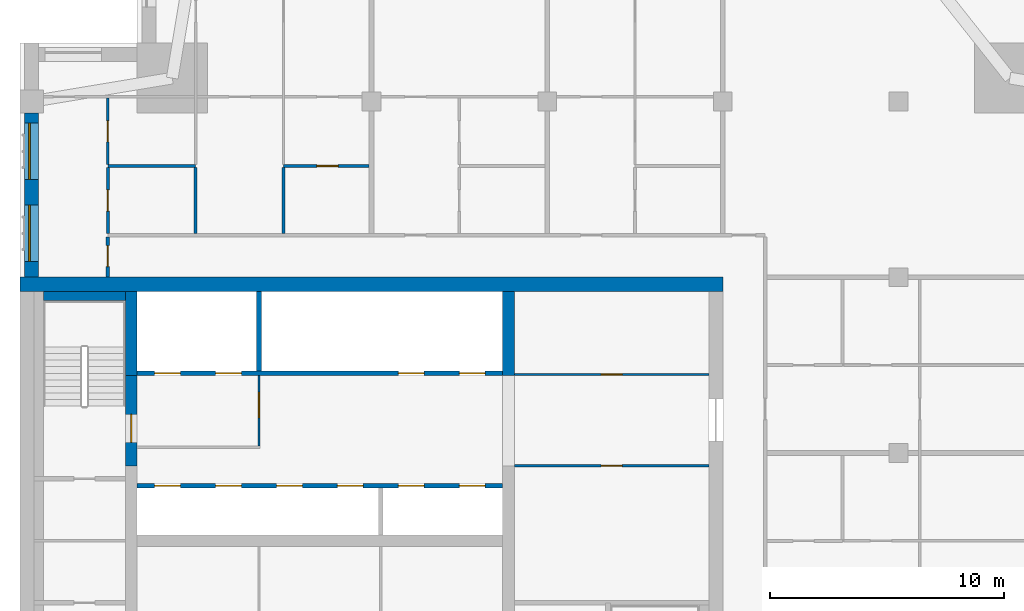
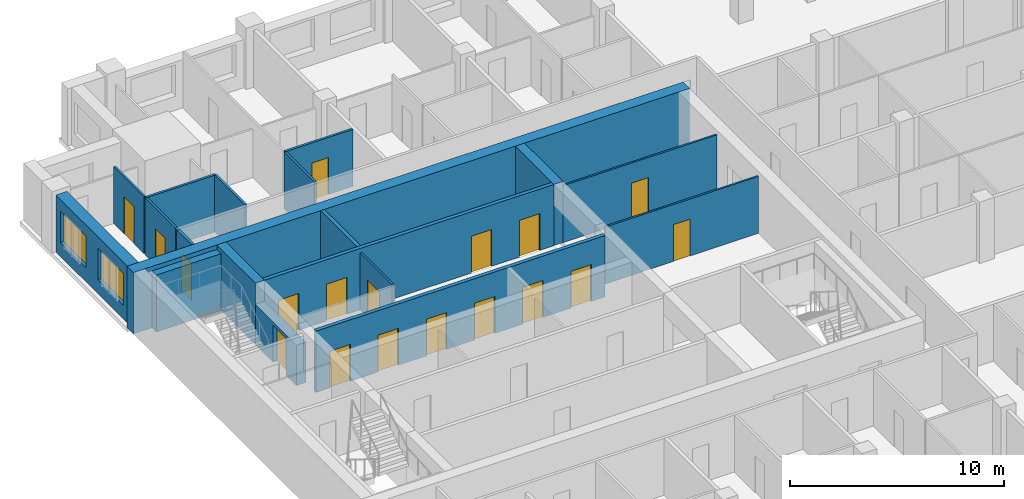
# One storey, part 6 of 11: 19 walls, 18 doors, 2 windows, 20 openings.
"""IFC4 building model written with IfcOpenShell, lengths in metres."""

from ifc_helpers import new_model, si_unit, direction, frame, frame_2d, origin, place, context, subcontext, project, spatial, rectangle, extrude, material, layer, layer_set, type_object, element, fill, save


model = new_model("IFC4")

# Units and contexts
model_context = context("Model", 3, precision=1e-05, world=origin(), true_north=direction((0.0, 1.0)))
body_context = subcontext(model_context, "Body", "Model", "MODEL_VIEW")
ifc_project = project(units=[si_unit("LENGTHUNIT", "METRE"), si_unit("AREAUNIT", "SQUARE_METRE"), si_unit("VOLUMEUNIT", "CUBIC_METRE"), si_unit("PLANEANGLEUNIT", "RADIAN"), si_unit("MASSUNIT", "GRAM", prefix="KILO")], contexts=[model_context])

# Site, building, storey
site_placement = place(None, origin())
site = spatial("IfcSite", under=ifc_project, at=site_placement, CompositionType="ELEMENT")
building_placement = place(site_placement, origin())
building = spatial("IfcBuilding", under=site, at=building_placement, Name="Tamorin Gate", CompositionType="ELEMENT")
storey_placement = place(building_placement, frame((0.0, 0.0, 226.699951171875)))
storey = spatial("IfcBuildingStorey", under=building, at=storey_placement, Name="L56", CompositionType="ELEMENT", Elevation=226.699951171875)

# Wall, openings, windows
ifc_material_1 = material(Name="Precast concrete C40/50", Category="concrete")
ifc_layer_1 = layer(ifc_material_1, 0.60009765625)
ifc_layer_set_1 = layer_set([ifc_layer_1], Name="Precast concrete C40/50")
wall_type_1 = type_object("IfcWallType", Name="Board-marked concrete facade panel 600", PredefinedType="SOLIDWALL", material=ifc_layer_set_1)
wall_1_placement = place(storey_placement, frame((30.5, 89.5, 0.0), z_axis=(0.0, 0.0, 1.0), x_axis=(0.0, -1.0, 0.0)))
wall_1 = element("IfcWall", 1, at=wall_1_placement, inside=storey, type_object=wall_type_1, Name="Facade panel", PredefinedType="SOLIDWALL", context=body_context, shape_type="SweptSolid", body=[
    extrude(rectangle(XDim=7.0, YDim=0.60009765625, at=frame_2d((3.5, 0.0))), origin(), (0.0, 0.0, 1.0), 3.25),
])
opening_1_placement = place(wall_1_placement, frame((3.925048828125, 0.0, 0.800048828125)))
opening_1 = element("IfcOpeningElement", 2, at=opening_1_placement, cuts=wall_1, Name="Opening WN1", PredefinedType="OPENING", context=body_context, shape_type="SweptSolid", body=[
    extrude(rectangle(XDim=2.39990234375, YDim=1.800048828125, at=frame_2d((1.199951171875, 0.89990234375))), frame((0.0, 0.31005859375, 0.0), z_axis=(0.0, -1.0, 0.0), x_axis=(1.0, 0.0, 0.0)), (0.0, 0.0, 1.0), 0.6201171875),
])
opening_2_placement = place(wall_1_placement, frame((0.425048828125, 0.0, 0.800048828125)))
opening_2 = element("IfcOpeningElement", 3, at=opening_2_placement, cuts=wall_1, Name="Opening WN1", PredefinedType="OPENING", context=body_context, shape_type="SweptSolid", body=[
    extrude(rectangle(XDim=2.39990234375, YDim=1.800048828125, at=frame_2d((1.199951171875, 0.89990234375))), frame((0.0, 0.31005859375, 0.0), z_axis=(0.0, -1.0, 0.0), x_axis=(1.0, 0.0, 0.0)), (0.0, 0.0, 1.0), 0.6201171875),
])
ifc_material_2 = material(Name="Clear glass in aluminium frame", Category="aluminium")
window_type = type_object("IfcWindowType", Name="Deep-set window 2400x1800", PartitioningType="SINGLE_PANEL", PredefinedType="WINDOW", material=ifc_material_2)
window_1_placement = place(opening_1_placement, origin())
window_1 = element("IfcWindow", 4, at=window_1_placement, inside=storey, type_object=window_type, Name="Deep-set window", OverallHeight=1.800048828125, OverallWidth=2.39990234375, PartitioningType="SINGLE_PANEL", PredefinedType="WINDOW", context=body_context, shape_type="SweptSolid", body=[
    extrude(rectangle(XDim=2.39990234375, YDim=1.800048828125, at=frame_2d((1.199951171875, 0.89990234375))), frame((0.0, -0.070068359375, 0.0), z_axis=(0.0, -1.0, 0.0), x_axis=(1.0, 0.0, 0.0)), (0.0, 0.0, 1.0), 0.06005859375),
])
fill(opening_1, window_1)
window_2_placement = place(opening_2_placement, origin())
window_2 = element("IfcWindow", 5, at=window_2_placement, inside=storey, type_object=window_type, Name="Deep-set window", OverallHeight=1.800048828125, OverallWidth=2.39990234375, PartitioningType="SINGLE_PANEL", PredefinedType="WINDOW", context=body_context, shape_type="SweptSolid", body=[
    extrude(rectangle(XDim=2.39990234375, YDim=1.800048828125, at=frame_2d((1.199951171875, 0.89990234375))), frame((0.0, -0.070068359375, 0.0), z_axis=(0.0, -1.0, 0.0), x_axis=(1.0, 0.0, 0.0)), (0.0, 0.0, 1.0), 0.06005859375),
])
fill(opening_2, window_2)

# Wall, opening, door
ifc_material_3 = material(Name="Gypsum board partition")
ifc_layer_2 = layer(ifc_material_3, 0.14990234375)
ifc_layer_set_2 = layer_set([ifc_layer_2], Name="Corridor wall 150")
wall_type_2 = type_object("IfcWallType", Name="Corridor wall 150", PredefinedType="PARTITIONING", material=ifc_layer_set_2)
wall_2_placement = place(storey_placement, frame((33.75, 82.5, 0.0), z_axis=(0.0, 0.0, 1.0), x_axis=(0.0, 1.0, 0.0)))
wall_2 = element("IfcWall", 6, at=wall_2_placement, inside=storey, type_object=wall_type_2, Name="Corridor wall 150", PredefinedType="PARTITIONING", context=body_context, shape_type="SweptSolid", body=[
    extrude(rectangle(XDim=1.72509765625, YDim=0.14990234375, at=frame_2d((0.862548828125, 0.0))), origin(), (0.0, 0.0, 1.0), 3.25),
])
opening_3_placement = place(wall_2_placement, frame((0.449951171875, 0.0, 0.0)))
opening_3 = element("IfcOpeningElement", 7, at=opening_3_placement, cuts=wall_2, Name="Opening DR6025", PredefinedType="OPENING", context=body_context, shape_type="SweptSolid", body=[
    extrude(rectangle(XDim=0.89990234375, YDim=2.10009765625, at=frame_2d((0.449951171875, 1.050048828125))), frame((0.0, 0.0849609375, 0.0), z_axis=(0.0, -1.0, 0.0), x_axis=(1.0, 0.0, 0.0)), (0.0, 0.0, 1.0), 0.169921875),
])
ifc_material_4 = material(Name="Timber door leaf", Category="wood")
door_type_1 = type_object("IfcDoorType", Name="Door 900 x 2100 FD30S", OperationType="NOTDEFINED", PredefinedType="DOOR", material=ifc_material_4)
door_1_placement = place(opening_3_placement, origin())
door_1 = element("IfcDoor", 8, at=door_1_placement, inside=storey, type_object=door_type_1, Name="Door DR6025", OperationType="SINGLE_SWING_LEFT", OverallHeight=2.10009765625, OverallWidth=0.89990234375, PredefinedType="DOOR", context=body_context, shape_type="SweptSolid", body=[
    extrude(rectangle(XDim=0.89990234375, YDim=2.10009765625, at=frame_2d((0.449951171875, 1.050048828125))), frame((0.0, 0.02490234375, 0.0), z_axis=(0.0, -1.0, 0.0), x_axis=(1.0, 0.0, 0.0)), (0.0, 0.0, 1.0), 0.050048828125),
])
fill(opening_3, door_1)

# Wall, openings, doors
ifc_material_5 = material(Name="Concrete C32/40", Category="concrete")
ifc_layer_3 = layer(ifc_material_5, 0.199951171875)
ifc_layer_set_3 = layer_set([ifc_layer_3], Name="Lift lobby face wall 200 EI 120")
wall_type_3 = type_object("IfcWallType", Name="Lift lobby face wall 200 EI 120", PredefinedType="SOLIDWALL", material=ifc_layer_set_3)
wall_3_placement = place(storey_placement, frame((35.0, 73.60009765625, 0.0), z_axis=(0.0, 0.0, 1.0), x_axis=(1.0, 0.0, 0.0)))
wall_3 = element("IfcWall", 9, at=wall_3_placement, inside=storey, type_object=wall_type_3, Name="Lift lobby face wall", PredefinedType="SOLIDWALL", context=body_context, shape_type="SweptSolid", body=[
    extrude(rectangle(XDim=15.60009765625, YDim=0.199951171875, at=frame_2d((7.800048828125, 0.0))), origin(), (0.0, 0.0, 1.0), 3.5),
])
opening_4_placement = place(wall_3_placement, frame((0.75, 0.0, 0.0)))
opening_4 = element("IfcOpeningElement", 10, at=opening_4_placement, cuts=wall_3, Name="Opening LD11", PredefinedType="OPENING", context=body_context, shape_type="SweptSolid", body=[
    extrude(rectangle(XDim=1.10009765625, YDim=2.10009765625, at=frame_2d((0.550048828125, 1.050048828125))), frame((0.0, 0.10986328125, 0.0), z_axis=(0.0, -1.0, 0.0), x_axis=(1.0, 0.0, 0.0)), (0.0, 0.0, 1.0), 0.219970703125),
])
opening_5_placement = place(wall_3_placement, frame((3.35009765625, 0.0, 0.0)))
opening_5 = element("IfcOpeningElement", 11, at=opening_5_placement, cuts=wall_3, Name="Opening LD12", PredefinedType="OPENING", context=body_context, shape_type="SweptSolid", body=[
    extrude(rectangle(XDim=1.10009765625, YDim=2.10009765625, at=frame_2d((0.550048828125, 1.050048828125))), frame((0.0, 0.10986328125, 0.0), z_axis=(0.0, -1.0, 0.0), x_axis=(1.0, 0.0, 0.0)), (0.0, 0.0, 1.0), 0.219970703125),
])
opening_6_placement = place(wall_3_placement, frame((5.949951171875, 0.0, 0.0)))
opening_6 = element("IfcOpeningElement", 12, at=opening_6_placement, cuts=wall_3, Name="Opening LD13", PredefinedType="OPENING", context=body_context, shape_type="SweptSolid", body=[
    extrude(rectangle(XDim=1.10009765625, YDim=2.10009765625, at=frame_2d((0.550048828125, 1.050048828125))), frame((0.0, 0.10986328125, 0.0), z_axis=(0.0, -1.0, 0.0), x_axis=(1.0, 0.0, 0.0)), (0.0, 0.0, 1.0), 0.219970703125),
])
opening_7_placement = place(wall_3_placement, frame((8.550048828125, 0.0, 0.0)))
opening_7 = element("IfcOpeningElement", 13, at=opening_7_placement, cuts=wall_3, Name="Opening LD14", PredefinedType="OPENING", context=body_context, shape_type="SweptSolid", body=[
    extrude(rectangle(XDim=1.10009765625, YDim=2.10009765625, at=frame_2d((0.550048828125, 1.050048828125))), frame((0.0, 0.10986328125, 0.0), z_axis=(0.0, -1.0, 0.0), x_axis=(1.0, 0.0, 0.0)), (0.0, 0.0, 1.0), 0.219970703125),
])
opening_8_placement = place(wall_3_placement, frame((11.14990234375, 0.0, 0.0)))
opening_8 = element("IfcOpeningElement", 14, at=opening_8_placement, cuts=wall_3, Name="Opening LD15", PredefinedType="OPENING", context=body_context, shape_type="SweptSolid", body=[
    extrude(rectangle(XDim=1.10009765625, YDim=2.10009765625, at=frame_2d((0.550048828125, 1.050048828125))), frame((0.0, 0.10986328125, 0.0), z_axis=(0.0, -1.0, 0.0), x_axis=(1.0, 0.0, 0.0)), (0.0, 0.0, 1.0), 0.219970703125),
])
opening_9_placement = place(wall_3_placement, frame((13.75, 0.0, 0.0)))
opening_9 = element("IfcOpeningElement", 15, at=opening_9_placement, cuts=wall_3, Name="Opening LD16", PredefinedType="OPENING", context=body_context, shape_type="SweptSolid", body=[
    extrude(rectangle(XDim=1.10009765625, YDim=2.10009765625, at=frame_2d((0.550048828125, 1.050048828125))), frame((0.0, 0.10986328125, 0.0), z_axis=(0.0, -1.0, 0.0), x_axis=(1.0, 0.0, 0.0)), (0.0, 0.0, 1.0), 0.219970703125),
])
ifc_material_6 = material(Name="Stainless steel sliding door", Category="steel")
door_type_2 = type_object("IfcDoorType", Name="Lift landing door 1100 x 2100 E 90", OperationType="DOUBLE_DOOR_SLIDING", PredefinedType="DOOR", material=ifc_material_6)
door_2_placement = place(opening_4_placement, origin())
door_2 = element("IfcDoor", 16, at=door_2_placement, inside=storey, type_object=door_type_2, Name="HR1 landing door", OperationType="DOUBLE_DOOR_SLIDING", OverallHeight=2.10009765625, OverallWidth=1.10009765625, PredefinedType="DOOR", context=body_context, shape_type="SweptSolid", body=[
    extrude(rectangle(XDim=1.10009765625, YDim=2.10009765625, at=frame_2d((0.550048828125, 1.050048828125))), frame((0.0, 0.02490234375, 0.0), z_axis=(0.0, -1.0, 0.0), x_axis=(1.0, 0.0, 0.0)), (0.0, 0.0, 1.0), 0.050048828125),
])
fill(opening_4, door_2)
door_3_placement = place(opening_5_placement, origin())
door_3 = element("IfcDoor", 17, at=door_3_placement, inside=storey, type_object=door_type_2, Name="HR2 landing door", OperationType="DOUBLE_DOOR_SLIDING", OverallHeight=2.10009765625, OverallWidth=1.10009765625, PredefinedType="DOOR", context=body_context, shape_type="SweptSolid", body=[
    extrude(rectangle(XDim=1.10009765625, YDim=2.10009765625, at=frame_2d((0.550048828125, 1.050048828125))), frame((0.0, 0.02490234375, 0.0), z_axis=(0.0, -1.0, 0.0), x_axis=(1.0, 0.0, 0.0)), (0.0, 0.0, 1.0), 0.050048828125),
])
fill(opening_5, door_3)
door_4_placement = place(opening_6_placement, origin())
door_4 = element("IfcDoor", 18, at=door_4_placement, inside=storey, type_object=door_type_2, Name="HR3 landing door", OperationType="DOUBLE_DOOR_SLIDING", OverallHeight=2.10009765625, OverallWidth=1.10009765625, PredefinedType="DOOR", context=body_context, shape_type="SweptSolid", body=[
    extrude(rectangle(XDim=1.10009765625, YDim=2.10009765625, at=frame_2d((0.550048828125, 1.050048828125))), frame((0.0, 0.02490234375, 0.0), z_axis=(0.0, -1.0, 0.0), x_axis=(1.0, 0.0, 0.0)), (0.0, 0.0, 1.0), 0.050048828125),
])
fill(opening_6, door_4)
door_5_placement = place(opening_7_placement, origin())
door_5 = element("IfcDoor", 19, at=door_5_placement, inside=storey, type_object=door_type_2, Name="HR4 landing door", OperationType="DOUBLE_DOOR_SLIDING", OverallHeight=2.10009765625, OverallWidth=1.10009765625, PredefinedType="DOOR", context=body_context, shape_type="SweptSolid", body=[
    extrude(rectangle(XDim=1.10009765625, YDim=2.10009765625, at=frame_2d((0.550048828125, 1.050048828125))), frame((0.0, 0.02490234375, 0.0), z_axis=(0.0, -1.0, 0.0), x_axis=(1.0, 0.0, 0.0)), (0.0, 0.0, 1.0), 0.050048828125),
])
fill(opening_7, door_5)
door_6_placement = place(opening_8_placement, origin())
door_6 = element("IfcDoor", 20, at=door_6_placement, inside=storey, type_object=door_type_2, Name="HR5 landing door", OperationType="DOUBLE_DOOR_SLIDING", OverallHeight=2.10009765625, OverallWidth=1.10009765625, PredefinedType="DOOR", context=body_context, shape_type="SweptSolid", body=[
    extrude(rectangle(XDim=1.10009765625, YDim=2.10009765625, at=frame_2d((0.550048828125, 1.050048828125))), frame((0.0, 0.02490234375, 0.0), z_axis=(0.0, -1.0, 0.0), x_axis=(1.0, 0.0, 0.0)), (0.0, 0.0, 1.0), 0.050048828125),
])
fill(opening_8, door_6)
door_7_placement = place(opening_9_placement, origin())
door_7 = element("IfcDoor", 21, at=door_7_placement, inside=storey, type_object=door_type_2, Name="HR6 landing door", OperationType="DOUBLE_DOOR_SLIDING", OverallHeight=2.10009765625, OverallWidth=1.10009765625, PredefinedType="DOOR", context=body_context, shape_type="SweptSolid", body=[
    extrude(rectangle(XDim=1.10009765625, YDim=2.10009765625, at=frame_2d((0.550048828125, 1.050048828125))), frame((0.0, 0.02490234375, 0.0), z_axis=(0.0, -1.0, 0.0), x_axis=(1.0, 0.0, 0.0)), (0.0, 0.0, 1.0), 0.050048828125),
])
fill(opening_9, door_7)

wall_4_placement = place(storey_placement, frame((35.0, 78.39990234375, 0.0), z_axis=(0.0, 0.0, 1.0), x_axis=(1.0, 0.0, 0.0)))
wall_4 = element("IfcWall", 22, at=wall_4_placement, inside=storey, type_object=wall_type_3, Name="Lift lobby face wall", PredefinedType="SOLIDWALL", context=body_context, shape_type="SweptSolid", body=[
    extrude(rectangle(XDim=15.60009765625, YDim=0.199951171875, at=frame_2d((7.800048828125, 0.0))), origin(), (0.0, 0.0, 1.0), 3.5),
])
opening_10_placement = place(wall_4_placement, frame((0.75, 0.0, 0.0)))
opening_10 = element("IfcOpeningElement", 23, at=opening_10_placement, cuts=wall_4, Name="Opening LD17", PredefinedType="OPENING", context=body_context, shape_type="SweptSolid", body=[
    extrude(rectangle(XDim=1.10009765625, YDim=2.10009765625, at=frame_2d((0.550048828125, 1.050048828125))), frame((0.0, 0.10986328125, 0.0), z_axis=(0.0, -1.0, 0.0), x_axis=(1.0, 0.0, 0.0)), (0.0, 0.0, 1.0), 0.219970703125),
])
opening_11_placement = place(wall_4_placement, frame((3.35009765625, 0.0, 0.0)))
opening_11 = element("IfcOpeningElement", 24, at=opening_11_placement, cuts=wall_4, Name="Opening LD18", PredefinedType="OPENING", context=body_context, shape_type="SweptSolid", body=[
    extrude(rectangle(XDim=1.10009765625, YDim=2.10009765625, at=frame_2d((0.550048828125, 1.050048828125))), frame((0.0, 0.10986328125, 0.0), z_axis=(0.0, -1.0, 0.0), x_axis=(1.0, 0.0, 0.0)), (0.0, 0.0, 1.0), 0.219970703125),
])
opening_12_placement = place(wall_4_placement, frame((11.14990234375, 0.0, 0.0)))
opening_12 = element("IfcOpeningElement", 25, at=opening_12_placement, cuts=wall_4, Name="Opening LD21", PredefinedType="OPENING", context=body_context, shape_type="SweptSolid", body=[
    extrude(rectangle(XDim=1.10009765625, YDim=2.10009765625, at=frame_2d((0.550048828125, 1.050048828125))), frame((0.0, 0.10986328125, 0.0), z_axis=(0.0, -1.0, 0.0), x_axis=(1.0, 0.0, 0.0)), (0.0, 0.0, 1.0), 0.219970703125),
])
opening_13_placement = place(wall_4_placement, frame((13.75, 0.0, 0.0)))
opening_13 = element("IfcOpeningElement", 26, at=opening_13_placement, cuts=wall_4, Name="Opening LD22", PredefinedType="OPENING", context=body_context, shape_type="SweptSolid", body=[
    extrude(rectangle(XDim=1.10009765625, YDim=2.10009765625, at=frame_2d((0.550048828125, 1.050048828125))), frame((0.0, 0.10986328125, 0.0), z_axis=(0.0, -1.0, 0.0), x_axis=(1.0, 0.0, 0.0)), (0.0, 0.0, 1.0), 0.219970703125),
])
door_8_placement = place(opening_10_placement, origin())
door_8 = element("IfcDoor", 27, at=door_8_placement, inside=storey, type_object=door_type_2, Name="FF1 landing door", OperationType="DOUBLE_DOOR_SLIDING", OverallHeight=2.10009765625, OverallWidth=1.10009765625, PredefinedType="DOOR", context=body_context, shape_type="SweptSolid", body=[
    extrude(rectangle(XDim=1.10009765625, YDim=2.10009765625, at=frame_2d((0.550048828125, 1.050048828125))), frame((0.0, 0.02490234375, 0.0), z_axis=(0.0, -1.0, 0.0), x_axis=(1.0, 0.0, 0.0)), (0.0, 0.0, 1.0), 0.050048828125),
])
fill(opening_10, door_8)
door_9_placement = place(opening_11_placement, origin())
door_9 = element("IfcDoor", 28, at=door_9_placement, inside=storey, type_object=door_type_2, Name="FF2 landing door", OperationType="DOUBLE_DOOR_SLIDING", OverallHeight=2.10009765625, OverallWidth=1.10009765625, PredefinedType="DOOR", context=body_context, shape_type="SweptSolid", body=[
    extrude(rectangle(XDim=1.10009765625, YDim=2.10009765625, at=frame_2d((0.550048828125, 1.050048828125))), frame((0.0, 0.02490234375, 0.0), z_axis=(0.0, -1.0, 0.0), x_axis=(1.0, 0.0, 0.0)), (0.0, 0.0, 1.0), 0.050048828125),
])
fill(opening_11, door_9)
door_10_placement = place(opening_12_placement, origin())
door_10 = element("IfcDoor", 29, at=door_10_placement, inside=storey, type_object=door_type_2, Name="SV1 landing door", OperationType="DOUBLE_DOOR_SLIDING", OverallHeight=2.10009765625, OverallWidth=1.10009765625, PredefinedType="DOOR", context=body_context, shape_type="SweptSolid", body=[
    extrude(rectangle(XDim=1.10009765625, YDim=2.10009765625, at=frame_2d((0.550048828125, 1.050048828125))), frame((0.0, 0.02490234375, 0.0), z_axis=(0.0, -1.0, 0.0), x_axis=(1.0, 0.0, 0.0)), (0.0, 0.0, 1.0), 0.050048828125),
])
fill(opening_12, door_10)
door_11_placement = place(opening_13_placement, origin())
door_11 = element("IfcDoor", 30, at=door_11_placement, inside=storey, type_object=door_type_2, Name="SV2 landing door", OperationType="DOUBLE_DOOR_SLIDING", OverallHeight=2.10009765625, OverallWidth=1.10009765625, PredefinedType="DOOR", context=body_context, shape_type="SweptSolid", body=[
    extrude(rectangle(XDim=1.10009765625, YDim=2.10009765625, at=frame_2d((0.550048828125, 1.050048828125))), frame((0.0, 0.02490234375, 0.0), z_axis=(0.0, -1.0, 0.0), x_axis=(1.0, 0.0, 0.0)), (0.0, 0.0, 1.0), 0.050048828125),
])
fill(opening_13, door_11)

# Wall
ifc_layer_4 = layer(ifc_material_5, 0.199951171875)
ifc_layer_set_4 = layer_set([ifc_layer_4], Name="Lift shaft wall 200 EI 120")
wall_type_4 = type_object("IfcWallType", Name="Lift shaft wall 200 EI 120", PredefinedType="SOLIDWALL", material=ifc_layer_set_4)
wall_5_placement = place(storey_placement, frame((40.199951171875, 78.5, 0.0), z_axis=(0.0, 0.0, 1.0), x_axis=(0.0, 1.0, 0.0)))
element("IfcWall", 31, at=wall_5_placement, inside=storey, type_object=wall_type_4, Name="Lift shaft wall", PredefinedType="SOLIDWALL", context=body_context, shape_type="SweptSolid", body=[
    extrude(rectangle(XDim=3.39990234375, YDim=0.199951171875, at=frame_2d((1.699951171875, 0.0))), origin(), (0.0, 0.0, 1.0), 3.5),
])

# Wall, opening, door
ifc_material_7 = material(Name="Fire-rated gypsum board partition")
ifc_layer_5 = layer(ifc_material_7, 0.10009765625)
ifc_layer_set_5 = layer_set([ifc_layer_5], Name="Lobby wall 100 EI 60")
wall_type_5 = type_object("IfcWallType", Name="Lobby wall 100 EI 60", PredefinedType="PARTITIONING", material=ifc_layer_set_5)
wall_6_placement = place(storey_placement, frame((40.199951171875, 75.300048828125, 0.0), z_axis=(0.0, 0.0, 1.0), x_axis=(0.0, 1.0, 0.0)))
wall_6 = element("IfcWall", 32, at=wall_6_placement, inside=storey, type_object=wall_type_5, Name="Firefighting lobby wall", PredefinedType="PARTITIONING", context=body_context, shape_type="SweptSolid", body=[
    extrude(rectangle(XDim=3.0, YDim=0.10009765625, at=frame_2d((1.5, 0.0))), origin(), (0.0, 0.0, 1.0), 3.25),
])
opening_14_placement = place(wall_6_placement, frame((1.199951171875, 0.0, 0.0)))
opening_14 = element("IfcOpeningElement", 33, at=opening_14_placement, cuts=wall_6, Name="Opening DF1", PredefinedType="OPENING", context=body_context, shape_type="SweptSolid", body=[
    extrude(rectangle(XDim=1.10009765625, YDim=2.10009765625, at=frame_2d((0.550048828125, 1.050048828125))), frame((0.0, 0.06005859375, 0.0), z_axis=(0.0, -1.0, 0.0), x_axis=(1.0, 0.0, 0.0)), (0.0, 0.0, 1.0), 0.1201171875),
])
ifc_material_8 = material(Name="Steel fire door", Category="steel")
door_type_3 = type_object("IfcDoorType", Name="Firefighting lobby door 1100 x 2100 EI 90", OperationType="SINGLE_SWING_LEFT", PredefinedType="DOOR", material=ifc_material_8)
door_12_placement = place(opening_14_placement, origin())
door_12 = element("IfcDoor", 34, at=door_12_placement, inside=storey, type_object=door_type_3, Name="Firefighting lobby door", OperationType="SINGLE_SWING_LEFT", OverallHeight=2.10009765625, OverallWidth=1.10009765625, PredefinedType="DOOR", context=body_context, shape_type="SweptSolid", body=[
    extrude(rectangle(XDim=1.10009765625, YDim=2.10009765625, at=frame_2d((0.550048828125, 1.050048828125))), frame((0.0, 0.02490234375, 0.0), z_axis=(0.0, -1.0, 0.0), x_axis=(1.0, 0.0, 0.0)), (0.0, 0.0, 1.0), 0.050048828125),
])
fill(opening_14, door_12)

# Walls
ifc_material_9 = material(Name="Concrete C50/60", Category="concrete")
ifc_layer_6 = layer(ifc_material_9, 0.5)
ifc_layer_set_6 = layer_set([ifc_layer_6], Name="RC core internal wall 500 C50/60")
wall_type_6 = type_object("IfcWallType", Name="RC core internal wall 500 C50/60", PredefinedType="SHEAR", material=ifc_layer_set_6)
for number, where, z_axis, x_axis, name in (
    (35, (34.75, 78.300048828125, 0.0), (0.0, 0.0, 1.0), (0.0, 1.0, 0.0), "Core cross wall L56"),
    (36, (50.85009765625, 78.300048828125, 0.0), (0.0, 0.0, 1.0), (0.0, 1.0, 0.0), "Core cross wall L56"),
):
    element("IfcWall", number, at=place(storey_placement, frame(where, z_axis=z_axis, x_axis=x_axis)), inside=storey, type_object=wall_type_6, Name=name, PredefinedType="SHEAR", context=body_context, shape_type="SweptSolid", body=[
        extrude(rectangle(XDim=3.599853515625, YDim=0.5, at=frame_2d((1.7998046875, 0.0))), origin(), (0.0, 0.0, 1.0), 3.5),
    ])
ifc_layer_7 = layer(ifc_material_9, 0.60009765625)
ifc_layer_set_7 = layer_set([ifc_layer_7], Name="RC core wall 600 C50/60")
wall_type_7 = type_object("IfcWallType", Name="RC core wall 600 C50/60", PredefinedType="SHEAR", material=ifc_layer_set_7)
wall_7_placement = place(storey_placement, frame((30.0, 82.199951171875, 0.0), z_axis=(0.0, 0.0, 1.0), x_axis=(1.0, 0.0, 0.0)))
element("IfcWall", 37, at=wall_7_placement, inside=storey, type_object=wall_type_7, Name="Core wall L56", PredefinedType="SHEAR", context=body_context, shape_type="SweptSolid", body=[
    extrude(rectangle(XDim=30.0, YDim=0.60009765625, at=frame_2d((15.0, 0.0))), origin(), (0.0, 0.0, 1.0), 3.5),
])

# Wall, opening, door
ifc_layer_8 = layer(ifc_material_3, 0.10009765625)
ifc_layer_set_8 = layer_set([ifc_layer_8], Name="Room partition 100")
wall_type_8 = type_object("IfcWallType", Name="Room partition 100", PredefinedType="PARTITIONING", material=ifc_layer_set_8)
wall_8_placement = place(storey_placement, frame((33.75, 87.3125, 0.0), z_axis=(0.0, 0.0, 1.0), x_axis=(0.0, 1.0, 0.0)))
wall_8 = element("IfcWall", 38, at=wall_8_placement, inside=storey, type_object=wall_type_8, Name="Room partition 100", PredefinedType="PARTITIONING", context=body_context, shape_type="SweptSolid", body=[
    extrude(rectangle(XDim=2.83740234375, YDim=0.10009765625, at=frame_2d((1.418701171875, 0.0))), origin(), (0.0, 0.0, 1.0), 3.25),
])
opening_15_placement = place(wall_8_placement, frame((0.96240234375, 0.0, 0.0)))
opening_15 = element("IfcOpeningElement", 39, at=opening_15_placement, cuts=wall_8, Name="Opening DR6027", PredefinedType="OPENING", context=body_context, shape_type="SweptSolid", body=[
    extrude(rectangle(XDim=0.89990234375, YDim=2.10009765625, at=frame_2d((0.449951171875, 1.050048828125))), frame((0.0, 0.06005859375, 0.0), z_axis=(0.0, -1.0, 0.0), x_axis=(1.0, 0.0, 0.0)), (0.0, 0.0, 1.0), 0.1201171875),
])
door_type_4 = type_object("IfcDoorType", Name="Door 900 x 2100", OperationType="NOTDEFINED", PredefinedType="DOOR", material=ifc_material_4)
door_13_placement = place(opening_15_placement, origin())
door_13 = element("IfcDoor", 40, at=door_13_placement, inside=storey, type_object=door_type_4, Name="Door DR6027", OperationType="SINGLE_SWING_RIGHT", OverallHeight=2.10009765625, OverallWidth=0.89990234375, PredefinedType="DOOR", context=body_context, shape_type="SweptSolid", body=[
    extrude(rectangle(XDim=0.89990234375, YDim=2.10009765625, at=frame_2d((0.449951171875, 1.050048828125))), frame((0.0, 0.02490234375, 0.0), z_axis=(0.0, -1.0, 0.0), x_axis=(1.0, 0.0, 0.0)), (0.0, 0.0, 1.0), 0.050048828125),
])
fill(opening_15, door_13)

ifc_layer_9 = layer(ifc_material_3, 0.10009765625)
ifc_layer_set_9 = layer_set([ifc_layer_9], Name="Service room partition 100 EI 60")
wall_type_9 = type_object("IfcWallType", Name="Service room partition 100 EI 60", PredefinedType="PARTITIONING", material=ifc_layer_set_9)
wall_9_placement = place(storey_placement, frame((51.10009765625, 74.449951171875, 0.0), z_axis=(0.0, 0.0, 1.0), x_axis=(1.0, 0.0, 0.0)))
wall_9 = element("IfcWall", 41, at=wall_9_placement, inside=storey, type_object=wall_type_9, Name="Service room wall", PredefinedType="PARTITIONING", context=body_context, shape_type="SweptSolid", body=[
    extrude(rectangle(XDim=8.2998046875, YDim=0.10009765625, at=frame_2d((4.14990234375, 0.0))), origin(), (0.0, 0.0, 1.0), 3.25),
])
opening_16_placement = place(wall_9_placement, frame((3.699951171875, 0.0, 0.0)))
opening_16 = element("IfcOpeningElement", 42, at=opening_16_placement, cuts=wall_9, Name="Opening DR1", PredefinedType="OPENING", context=body_context, shape_type="SweptSolid", body=[
    extrude(rectangle(XDim=0.89990234375, YDim=2.10009765625, at=frame_2d((0.449951171875, 1.050048828125))), frame((0.0, 0.06005859375, 0.0), z_axis=(0.0, -1.0, 0.0), x_axis=(1.0, 0.0, 0.0)), (0.0, 0.0, 1.0), 0.1201171875),
])
door_type_5 = type_object("IfcDoorType", Name="Riser access door 900 x 2100 EI 120", OperationType="SINGLE_SWING_LEFT", PredefinedType="DOOR", material=ifc_material_8)
door_14_placement = place(opening_16_placement, origin())
door_14 = element("IfcDoor", 43, at=door_14_placement, inside=storey, type_object=door_type_5, Name="Duct riser door", OperationType="SINGLE_SWING_RIGHT", OverallHeight=2.10009765625, OverallWidth=0.89990234375, PredefinedType="DOOR", context=body_context, shape_type="SweptSolid", body=[
    extrude(rectangle(XDim=0.89990234375, YDim=2.10009765625, at=frame_2d((0.449951171875, 1.050048828125))), frame((0.0, 0.02490234375, 0.0), z_axis=(0.0, -1.0, 0.0), x_axis=(1.0, 0.0, 0.0)), (0.0, 0.0, 1.0), 0.050048828125),
])
fill(opening_16, door_14)

wall_10_placement = place(storey_placement, frame((51.10009765625, 78.35009765625, 0.0), z_axis=(0.0, 0.0, 1.0), x_axis=(1.0, 0.0, 0.0)))
wall_10 = element("IfcWall", 44, at=wall_10_placement, inside=storey, type_object=wall_type_9, Name="Service room wall", PredefinedType="PARTITIONING", context=body_context, shape_type="SweptSolid", body=[
    extrude(rectangle(XDim=8.2998046875, YDim=0.10009765625, at=frame_2d((4.14990234375, 0.0))), origin(), (0.0, 0.0, 1.0), 3.25),
])
opening_17_placement = place(wall_10_placement, frame((3.699951171875, 0.0, 0.0)))
opening_17 = element("IfcOpeningElement", 45, at=opening_17_placement, cuts=wall_10, Name="Opening DK1", PredefinedType="OPENING", context=body_context, shape_type="SweptSolid", body=[
    extrude(rectangle(XDim=0.89990234375, YDim=2.10009765625, at=frame_2d((0.449951171875, 1.050048828125))), frame((0.0, 0.06005859375, 0.0), z_axis=(0.0, -1.0, 0.0), x_axis=(1.0, 0.0, 0.0)), (0.0, 0.0, 1.0), 0.1201171875),
])
ifc_material_10 = material(Name="Timber fire door", Category="wood")
door_type_6 = type_object("IfcDoorType", Name="Service room door 900 x 2100 EI 60", OperationType="SINGLE_SWING_LEFT", PredefinedType="DOOR", material=ifc_material_10)
door_15_placement = place(opening_17_placement, origin())
door_15 = element("IfcDoor", 46, at=door_15_placement, inside=storey, type_object=door_type_6, Name="Door Housekeeping office", OperationType="SINGLE_SWING_RIGHT", OverallHeight=2.10009765625, OverallWidth=0.89990234375, PredefinedType="DOOR", context=body_context, shape_type="SweptSolid", body=[
    extrude(rectangle(XDim=0.89990234375, YDim=2.10009765625, at=frame_2d((0.449951171875, 1.050048828125))), frame((0.0, 0.02490234375, 0.0), z_axis=(0.0, -1.0, 0.0), x_axis=(1.0, 0.0, 0.0)), (0.0, 0.0, 1.0), 0.050048828125),
])
fill(opening_17, door_15)

# Wall
ifc_layer_10 = layer(ifc_material_9, 0.39990234375)
ifc_layer_set_10 = layer_set([ifc_layer_10], Name="Stair lining wall 400 EI 120 C50/60")
wall_type_10 = type_object("IfcWallType", Name="Stair lining wall 400 EI 120 C50/60", PredefinedType="SOLIDWALL", material=ifc_layer_set_10)
wall_11_placement = place(storey_placement, frame((31.0, 81.699951171875, 0.0), z_axis=(0.0, 0.0, 1.0), x_axis=(1.0, 0.0, 0.0)))
element("IfcWall", 47, at=wall_11_placement, inside=storey, type_object=wall_type_10, Name="Stair lining wall", PredefinedType="SOLIDWALL", context=body_context, shape_type="SweptSolid", body=[
    extrude(rectangle(XDim=3.5, YDim=0.39990234375, at=frame_2d((1.75, 0.0))), origin(), (0.0, 0.0, 1.0), 3.25),
])

# Wall, opening, door
ifc_layer_11 = layer(ifc_material_5, 0.5)
ifc_layer_set_11 = layer_set([ifc_layer_11], Name="Stair lobby infill wall 500 EI 120")
wall_type_11 = type_object("IfcWallType", Name="Stair lobby infill wall 500 EI 120", PredefinedType="SOLIDWALL", material=ifc_layer_set_11)
wall_12_placement = place(storey_placement, frame((34.75, 74.449951171875, 0.0), z_axis=(0.0, 0.0, 1.0), x_axis=(0.0, 1.0, 0.0)))
wall_12 = element("IfcWall", 48, at=wall_12_placement, inside=storey, type_object=wall_type_11, Name="Stair lobby infill wall", PredefinedType="SOLIDWALL", context=body_context, shape_type="SweptSolid", body=[
    extrude(rectangle(XDim=3.85009765625, YDim=0.5, at=frame_2d((1.925048828125, 0.0))), origin(), (0.0, 0.0, 1.0), 2.300048828125),
])
opening_18_placement = place(wall_12_placement, frame((1.0, 0.0, 0.0)))
opening_18 = element("IfcOpeningElement", 49, at=opening_18_placement, cuts=wall_12, Name="Opening DS1", PredefinedType="OPENING", context=body_context, shape_type="SweptSolid", body=[
    extrude(rectangle(XDim=1.199951171875, YDim=2.10009765625, at=frame_2d((0.60009765625, 1.050048828125))), frame((0.0, 0.260009765625, 0.0), z_axis=(0.0, -1.0, 0.0), x_axis=(1.0, 0.0, 0.0)), (0.0, 0.0, 1.0), 0.52001953125),
])
door_type_7 = type_object("IfcDoorType", Name="Stair door 1200 x 2100 EI 90", OperationType="SINGLE_SWING_LEFT", PredefinedType="DOOR", material=ifc_material_8)
door_16_placement = place(opening_18_placement, origin())
door_16 = element("IfcDoor", 50, at=door_16_placement, inside=storey, type_object=door_type_7, Name="ST2 door", OperationType="SINGLE_SWING_RIGHT", OverallHeight=2.10009765625, OverallWidth=1.199951171875, PredefinedType="DOOR", context=body_context, shape_type="SweptSolid", body=[
    extrude(rectangle(XDim=1.199951171875, YDim=2.10009765625, at=frame_2d((0.60009765625, 1.050048828125))), frame((0.0, 0.02490234375, 0.0), z_axis=(0.0, -1.0, 0.0), x_axis=(1.0, 0.0, 0.0)), (0.0, 0.0, 1.0), 0.050048828125),
])
fill(opening_18, door_16)

# Wall
ifc_layer_12 = layer(ifc_material_3, 0.125)
ifc_layer_set_12 = layer_set([ifc_layer_12], Name="Wet wall 125")
wall_type_12 = type_object("IfcWallType", Name="Wet wall 125", PredefinedType="PARTITIONING", material=ifc_layer_set_12)
wall_13_placement = place(storey_placement, frame((33.75, 87.25, 0.0), z_axis=(0.0, 0.0, 1.0), x_axis=(1.0, 0.0, 0.0)))
element("IfcWall", 51, at=wall_13_placement, inside=storey, type_object=wall_type_12, Name="Wet wall 125", PredefinedType="PARTITIONING", context=body_context, shape_type="SweptSolid", body=[
    extrude(rectangle(XDim=3.75, YDim=0.125, at=frame_2d((1.875, 0.0))), origin(), (0.0, 0.0, 1.0), 3.25),
])

# Wall, opening, door
wall_14_placement = place(storey_placement, frame((41.25, 87.25, 0.0), z_axis=(0.0, 0.0, 1.0), x_axis=(1.0, 0.0, 0.0)))
wall_14 = element("IfcWall", 52, at=wall_14_placement, inside=storey, type_object=wall_type_12, Name="Wet wall 125", PredefinedType="PARTITIONING", context=body_context, shape_type="SweptSolid", body=[
    extrude(rectangle(XDim=3.64990234375, YDim=0.125, at=frame_2d((1.824951171875, 0.0))), origin(), (0.0, 0.0, 1.0), 3.25),
])
opening_19_placement = place(wall_14_placement, frame((1.425048828125, 0.0, 0.0)))
opening_19 = element("IfcOpeningElement", 53, at=opening_19_placement, cuts=wall_14, Name="Opening DR6031", PredefinedType="OPENING", context=body_context, shape_type="SweptSolid", body=[
    extrude(rectangle(XDim=0.89990234375, YDim=2.10009765625, at=frame_2d((0.449951171875, 1.050048828125))), frame((0.0, 0.072509765625, 0.0), z_axis=(0.0, -1.0, 0.0), x_axis=(1.0, 0.0, 0.0)), (0.0, 0.0, 1.0), 0.14501953125),
])
door_17_placement = place(opening_19_placement, origin())
door_17 = element("IfcDoor", 54, at=door_17_placement, inside=storey, type_object=door_type_4, Name="Door DR6031", OperationType="SINGLE_SWING_RIGHT", OverallHeight=2.10009765625, OverallWidth=0.89990234375, PredefinedType="DOOR", context=body_context, shape_type="SweptSolid", body=[
    extrude(rectangle(XDim=0.89990234375, YDim=2.10009765625, at=frame_2d((0.449951171875, 1.050048828125))), frame((0.0, 0.02490234375, 0.0), z_axis=(0.0, -1.0, 0.0), x_axis=(1.0, 0.0, 0.0)), (0.0, 0.0, 1.0), 0.050048828125),
])
fill(opening_19, door_17)

wall_15_placement = place(storey_placement, frame((33.75, 84.375, 0.0), z_axis=(0.0, 0.0, 1.0), x_axis=(0.0, 1.0, 0.0)))
wall_15 = element("IfcWall", 55, at=wall_15_placement, inside=storey, type_object=wall_type_12, Name="Wet wall 125", PredefinedType="PARTITIONING", context=body_context, shape_type="SweptSolid", body=[
    extrude(rectangle(XDim=2.8125, YDim=0.125, at=frame_2d((1.40625, 0.0))), origin(), (0.0, 0.0, 1.0), 3.25),
])
opening_20_placement = place(wall_15_placement, frame((0.949951171875, 0.0, 0.0)))
opening_20 = element("IfcOpeningElement", 56, at=opening_20_placement, cuts=wall_15, Name="Opening DR6028", PredefinedType="OPENING", context=body_context, shape_type="SweptSolid", body=[
    extrude(rectangle(XDim=0.89990234375, YDim=2.10009765625, at=frame_2d((0.449951171875, 1.050048828125))), frame((0.0, 0.072509765625, 0.0), z_axis=(0.0, -1.0, 0.0), x_axis=(1.0, 0.0, 0.0)), (0.0, 0.0, 1.0), 0.14501953125),
])
door_18_placement = place(opening_20_placement, origin())
door_18 = element("IfcDoor", 57, at=door_18_placement, inside=storey, type_object=door_type_4, Name="Door DR6028", OperationType="SINGLE_SWING_RIGHT", OverallHeight=2.10009765625, OverallWidth=0.89990234375, PredefinedType="DOOR", context=body_context, shape_type="SweptSolid", body=[
    extrude(rectangle(XDim=0.89990234375, YDim=2.10009765625, at=frame_2d((0.449951171875, 1.050048828125))), frame((0.0, 0.02490234375, 0.0), z_axis=(0.0, -1.0, 0.0), x_axis=(1.0, 0.0, 0.0)), (0.0, 0.0, 1.0), 0.050048828125),
])
fill(opening_20, door_18)

# Walls
for number, where, z_axis, x_axis, name in (
    (58, (37.5, 84.375, 0.0), (0.0, 0.0, 1.0), (0.0, 1.0, 0.0), "Wet wall 125"),
    (59, (41.25, 84.375, 0.0), (0.0, 0.0, 1.0), (0.0, 1.0, 0.0), "Wet wall 125"),
):
    element("IfcWall", number, at=place(storey_placement, frame(where, z_axis=z_axis, x_axis=x_axis)), inside=storey, type_object=wall_type_12, Name=name, PredefinedType="PARTITIONING", context=body_context, shape_type="SweptSolid", body=[
        extrude(rectangle(XDim=2.8125, YDim=0.125, at=frame_2d((1.40625, 0.0))), origin(), (0.0, 0.0, 1.0), 3.25),
    ])

save(model, "model.ifc")
